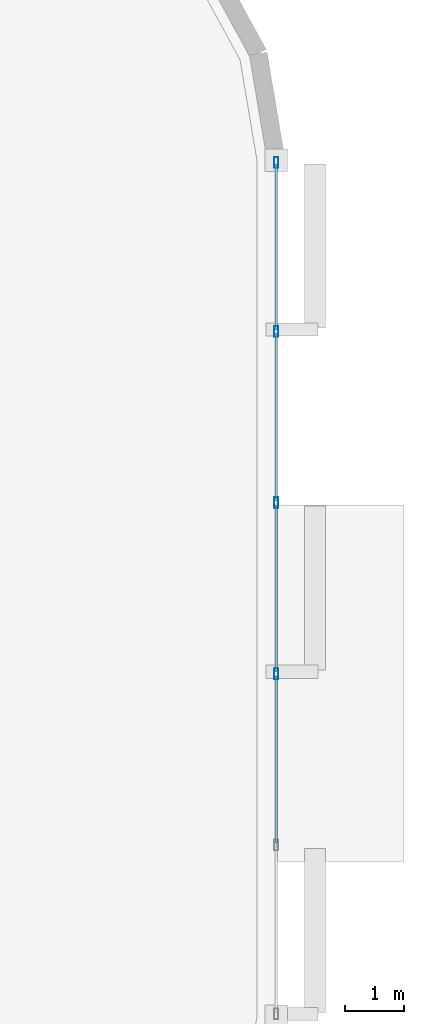
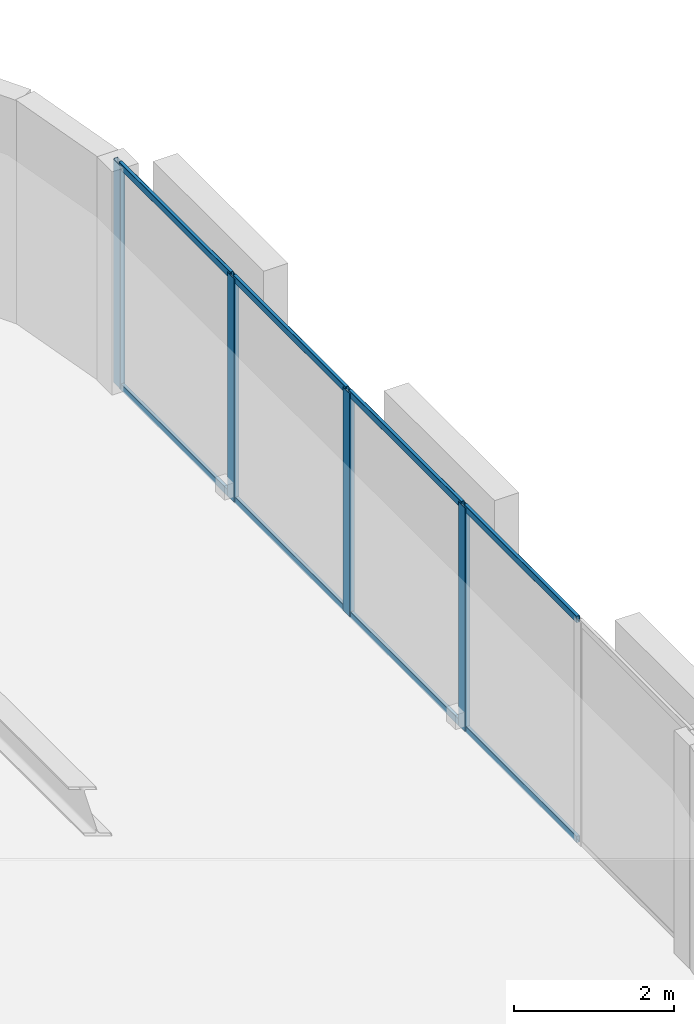
# One storey, part 6 of 14: 12 members, 1 element without a shape of its own.
"""IFC4 building model written with IfcOpenShell, lengths in metres."""

from ifc_helpers import new_model, si_unit, direction, frame, origin, origin_2d, place, context, subcontext, project, spatial, hollow_rectangle, extrude, material, layer, layer_set, material_profile, profile_set, type_object, element, aggregate, save


model = new_model("IFC4")

# Units and contexts
model_context = context("Model", 3, precision=1e-05, world=origin(), true_north=direction((0.0, 1.0)))
body_context = subcontext(model_context, "Body", "Model", "MODEL_VIEW")
ifc_project = project(units=[si_unit("LENGTHUNIT", "METRE"), si_unit("AREAUNIT", "SQUARE_METRE"), si_unit("VOLUMEUNIT", "CUBIC_METRE"), si_unit("PLANEANGLEUNIT", "RADIAN"), si_unit("MASSUNIT", "GRAM", prefix="KILO")], contexts=[model_context])

# Site, building, storey
site_placement = place(None, origin())
site = spatial("IfcSite", under=ifc_project, at=site_placement, CompositionType="ELEMENT")
building_placement = place(site_placement, origin())
building = spatial("IfcBuilding", under=site, at=building_placement, Name="An Khanh Terracotta Commons", CompositionType="ELEMENT")
storey_placement = place(building_placement, frame((0.0, 0.0, 154.60009765625)))
storey = spatial("IfcBuildingStorey", under=building, at=storey_placement, Name="L40", CompositionType="ELEMENT", Elevation=154.60009765625)

# Curtain wall, members
ifc_material = material(Name="Anodised Aluminium 6063-T6", Category="aluminium")
ifc_layer = layer(ifc_material, 0.2099609375, Name="Anodised Aluminium 6063-T6")
ifc_layer_set = layer_set([ifc_layer], Name="Anodised Aluminium 6063-T6")
curtain_wall_type = type_object("IfcCurtainWallType", Name="CW-SYS-03", PredefinedType="USERDEFINED", material=ifc_layer_set)
curtain_wall_placement = place(storey_placement, origin())
curtain_wall = element("IfcCurtainWall", 1, at=curtain_wall_placement, inside=storey, type_object=curtain_wall_type, Name="L40 CW-03 Unitised Curtain Wall CW-L40-12", ObjectType="UNITISED CURTAIN WALL", PredefinedType="USERDEFINED")
ifc_material_profile_1 = material_profile(ifc_material, hollow_rectangle(XDim=0.070068359375, YDim=0.179931640625, WallThickness=0.00390625, InnerFilletRadius=0.00390625, OuterFilletRadius=0.008056640625, at=origin_2d()), Name="RHS180x70x4")
ifc_profile_set_1 = profile_set([ifc_material_profile_1], Name="Anodised Aluminium 6063-T6")
member_type_1 = type_object("IfcMemberType", Name="CWM-RHS180x70x4", PredefinedType="MULLION", material=ifc_profile_set_1)
member_1_placement = place(storey_placement, frame((63.0, 22.56005859375, 0.0), z_axis=(0.0, 0.0, 1.0), x_axis=(-1.0, 0.0, 0.0)))
member_1 = element("IfcMember", 2, at=member_1_placement, type_object=member_type_1, Name="CW-03 mullion 3", PredefinedType="MULLION", context=body_context, shape_type="SweptSolid", body=[
    extrude(hollow_rectangle(XDim=0.070068359375, YDim=0.179931640625, WallThickness=0.00390625, InnerFilletRadius=0.00390625, OuterFilletRadius=0.008056640625, at=origin_2d()), origin(), (0.0, 0.0, 1.0), 3.39990234375),
])
member_2_placement = place(storey_placement, frame((63.0, 25.43994140625, 0.0), z_axis=(0.0, 0.0, 1.0), x_axis=(-1.0, 0.0, 0.0)))
member_2 = element("IfcMember", 3, at=member_2_placement, type_object=member_type_1, Name="CW-03 mullion 4", PredefinedType="MULLION", context=body_context, shape_type="SweptSolid", body=[
    extrude(hollow_rectangle(XDim=0.070068359375, YDim=0.179931640625, WallThickness=0.00390625, InnerFilletRadius=0.00390625, OuterFilletRadius=0.008056640625, at=origin_2d()), origin(), (0.0, 0.0, 1.0), 3.39990234375),
])
member_3_placement = place(storey_placement, frame((63.0, 28.320068359375, 0.0), z_axis=(0.0, 0.0, 1.0), x_axis=(-1.0, 0.0, 0.0)))
member_3 = element("IfcMember", 4, at=member_3_placement, type_object=member_type_1, Name="CW-03 mullion 5", PredefinedType="MULLION", context=body_context, shape_type="SweptSolid", body=[
    extrude(hollow_rectangle(XDim=0.070068359375, YDim=0.179931640625, WallThickness=0.00390625, InnerFilletRadius=0.00390625, OuterFilletRadius=0.008056640625, at=origin_2d()), origin(), (0.0, 0.0, 1.0), 3.39990234375),
])
member_4_placement = place(storey_placement, frame((63.0, 31.1650390625, 0.0), z_axis=(0.0, 0.0, 1.0), x_axis=(-1.0, 0.0, 0.0)))
member_4 = element("IfcMember", 5, at=member_4_placement, type_object=member_type_1, Name="CW-03 mullion 6", PredefinedType="MULLION", context=body_context, shape_type="SweptSolid", body=[
    extrude(hollow_rectangle(XDim=0.070068359375, YDim=0.179931640625, WallThickness=0.00390625, InnerFilletRadius=0.00390625, OuterFilletRadius=0.008056640625, at=origin_2d()), origin(), (0.0, 0.0, 1.0), 3.39990234375),
])
ifc_material_profile_2 = material_profile(ifc_material, hollow_rectangle(XDim=0.050048828125, YDim=0.10009765625, WallThickness=0.003173828125, InnerFilletRadius=0.003173828125, OuterFilletRadius=0.00634765625, at=origin_2d()), Name="RHS100x50x3.2")
ifc_profile_set_2 = profile_set([ifc_material_profile_2], Name="Anodised Aluminium 6063-T6")
member_type_2 = type_object("IfcMemberType", Name="CWT-RHS100x50x3.2", PredefinedType="USERDEFINED", material=ifc_profile_set_2)
member_5_placement = place(storey_placement, frame((63.0, 19.715087890625, 0.02490234375), z_axis=(0.0, 1.0, 0.0), x_axis=(-1.0, 0.0, 0.0)))
member_5 = element("IfcMember", 6, at=member_5_placement, type_object=member_type_2, Name="CW-03 transom 2.1", ObjectType="TRANSOM", PredefinedType="USERDEFINED", context=body_context, shape_type="SweptSolid", body=[
    extrude(hollow_rectangle(XDim=0.050048828125, YDim=0.10009765625, WallThickness=0.003173828125, InnerFilletRadius=0.003173828125, OuterFilletRadius=0.00634765625, at=origin_2d()), origin(), (0.0, 0.0, 1.0), 2.809814453125),
])
member_6_placement = place(storey_placement, frame((63.0, 19.715087890625, 3.375), z_axis=(0.0, 1.0, 0.0), x_axis=(-1.0, 0.0, 0.0)))
member_6 = element("IfcMember", 7, at=member_6_placement, type_object=member_type_2, Name="CW-03 transom 2.2", ObjectType="TRANSOM", PredefinedType="USERDEFINED", context=body_context, shape_type="SweptSolid", body=[
    extrude(hollow_rectangle(XDim=0.050048828125, YDim=0.10009765625, WallThickness=0.003173828125, InnerFilletRadius=0.003173828125, OuterFilletRadius=0.00634765625, at=origin_2d()), origin(), (0.0, 0.0, 1.0), 2.809814453125),
])
member_7_placement = place(storey_placement, frame((63.0, 22.594970703125, 0.02490234375), z_axis=(0.0, 1.0, 0.0), x_axis=(-1.0, 0.0, 0.0)))
member_7 = element("IfcMember", 8, at=member_7_placement, type_object=member_type_2, Name="CW-03 transom 3.1", ObjectType="TRANSOM", PredefinedType="USERDEFINED", context=body_context, shape_type="SweptSolid", body=[
    extrude(hollow_rectangle(XDim=0.050048828125, YDim=0.10009765625, WallThickness=0.003173828125, InnerFilletRadius=0.003173828125, OuterFilletRadius=0.00634765625, at=origin_2d()), origin(), (0.0, 0.0, 1.0), 2.81005859375),
])
member_8_placement = place(storey_placement, frame((63.0, 22.594970703125, 3.375), z_axis=(0.0, 1.0, 0.0), x_axis=(-1.0, 0.0, 0.0)))
member_8 = element("IfcMember", 9, at=member_8_placement, type_object=member_type_2, Name="CW-03 transom 3.2", ObjectType="TRANSOM", PredefinedType="USERDEFINED", context=body_context, shape_type="SweptSolid", body=[
    extrude(hollow_rectangle(XDim=0.050048828125, YDim=0.10009765625, WallThickness=0.003173828125, InnerFilletRadius=0.003173828125, OuterFilletRadius=0.00634765625, at=origin_2d()), origin(), (0.0, 0.0, 1.0), 2.81005859375),
])
member_9_placement = place(storey_placement, frame((63.0, 25.47509765625, 0.02490234375), z_axis=(0.0, 1.0, 0.0), x_axis=(-1.0, 0.0, 0.0)))
member_9 = element("IfcMember", 10, at=member_9_placement, type_object=member_type_2, Name="CW-03 transom 4.1", ObjectType="TRANSOM", PredefinedType="USERDEFINED", context=body_context, shape_type="SweptSolid", body=[
    extrude(hollow_rectangle(XDim=0.050048828125, YDim=0.10009765625, WallThickness=0.003173828125, InnerFilletRadius=0.003173828125, OuterFilletRadius=0.00634765625, at=origin_2d()), origin(), (0.0, 0.0, 1.0), 2.809814453125),
])
member_10_placement = place(storey_placement, frame((63.0, 25.47509765625, 3.375), z_axis=(0.0, 1.0, 0.0), x_axis=(-1.0, 0.0, 0.0)))
member_10 = element("IfcMember", 11, at=member_10_placement, type_object=member_type_2, Name="CW-03 transom 4.2", ObjectType="TRANSOM", PredefinedType="USERDEFINED", context=body_context, shape_type="SweptSolid", body=[
    extrude(hollow_rectangle(XDim=0.050048828125, YDim=0.10009765625, WallThickness=0.003173828125, InnerFilletRadius=0.003173828125, OuterFilletRadius=0.00634765625, at=origin_2d()), origin(), (0.0, 0.0, 1.0), 2.809814453125),
])
member_11_placement = place(storey_placement, frame((63.0, 28.35498046875, 0.02490234375), z_axis=(0.0, 1.0, 0.0), x_axis=(-1.0, 0.0, 0.0)))
member_11 = element("IfcMember", 12, at=member_11_placement, type_object=member_type_2, Name="CW-03 transom 5.1", ObjectType="TRANSOM", PredefinedType="USERDEFINED", context=body_context, shape_type="SweptSolid", body=[
    extrude(hollow_rectangle(XDim=0.050048828125, YDim=0.10009765625, WallThickness=0.003173828125, InnerFilletRadius=0.003173828125, OuterFilletRadius=0.00634765625, at=origin_2d()), origin(), (0.0, 0.0, 1.0), 2.77490234375),
])
member_12_placement = place(storey_placement, frame((63.0, 28.35498046875, 3.375), z_axis=(0.0, 1.0, 0.0), x_axis=(-1.0, 0.0, 0.0)))
member_12 = element("IfcMember", 13, at=member_12_placement, type_object=member_type_2, Name="CW-03 transom 5.2", ObjectType="TRANSOM", PredefinedType="USERDEFINED", context=body_context, shape_type="SweptSolid", body=[
    extrude(hollow_rectangle(XDim=0.050048828125, YDim=0.10009765625, WallThickness=0.003173828125, InnerFilletRadius=0.003173828125, OuterFilletRadius=0.00634765625, at=origin_2d()), origin(), (0.0, 0.0, 1.0), 2.77490234375),
])
aggregate(curtain_wall, [member_1, member_2, member_3, member_4, member_5, member_6, member_7, member_8, member_9, member_10, member_11, member_12])

save(model, "model.ifc")
